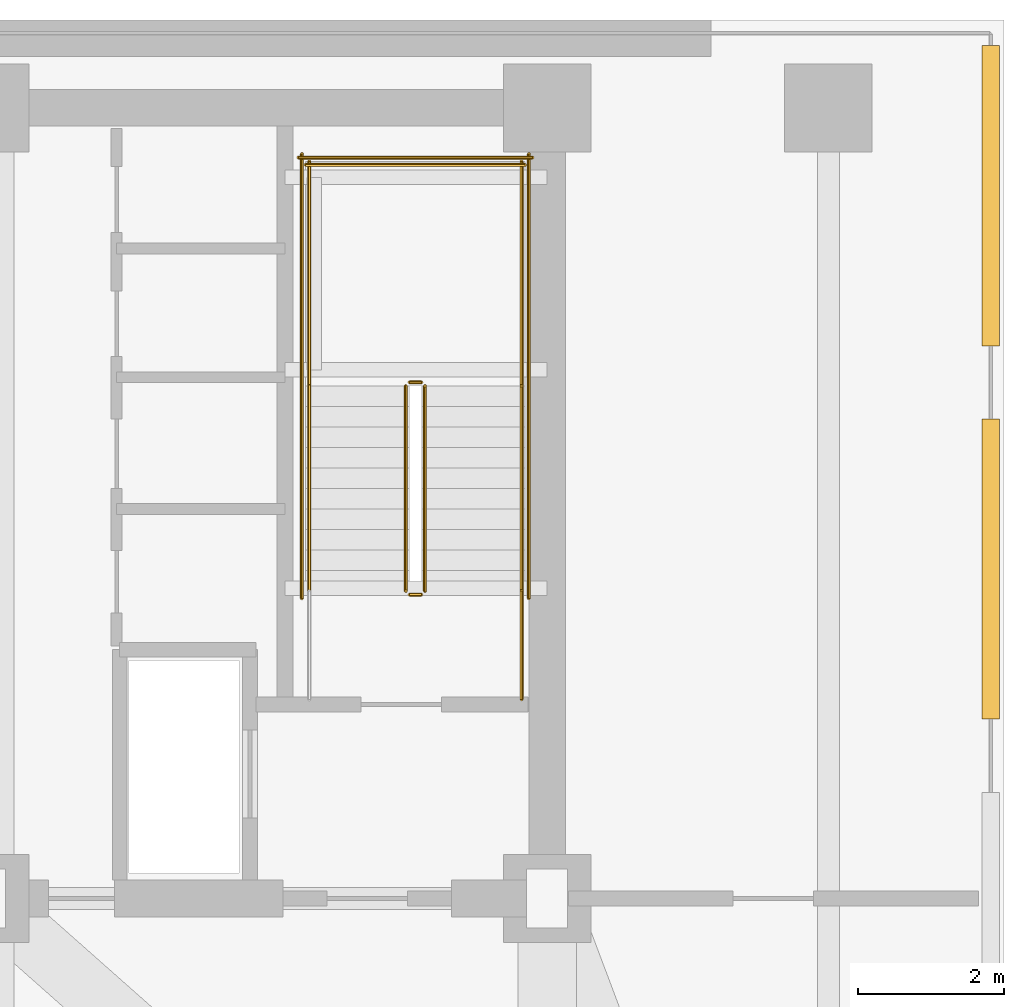
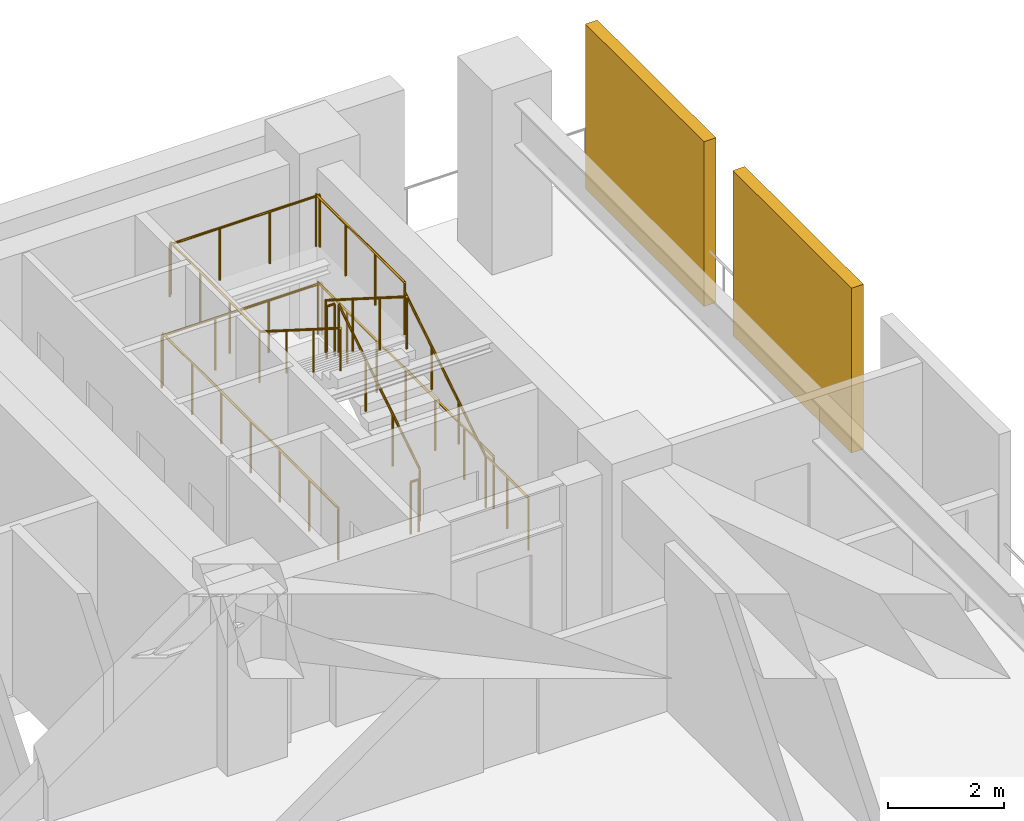
# One storey, part 7 of 7: 13 railings, 2 shading devices.
"""IFC4 building model written with IfcOpenShell, lengths in metres."""

from ifc_helpers import new_model, si_unit, direction, frame, origin, origin_2d, place, context, subcontext, project, spatial, rectangle, circle, extrude, material, layer, layer_set, type_object, element, save


model = new_model("IFC4")

# Units and contexts
model_context = context("Model", 3, precision=1e-05, world=origin(), true_north=direction((0.0, 1.0)))
body_context = subcontext(model_context, "Body", "Model", "MODEL_VIEW")
ifc_project = project(units=[si_unit("LENGTHUNIT", "METRE"), si_unit("AREAUNIT", "SQUARE_METRE"), si_unit("VOLUMEUNIT", "CUBIC_METRE"), si_unit("PLANEANGLEUNIT", "RADIAN"), si_unit("MASSUNIT", "GRAM", prefix="KILO")], contexts=[model_context])

# Site, building, storey
site_placement = place(None, origin())
site = spatial("IfcSite", under=ifc_project, at=site_placement, CompositionType="ELEMENT")
building_placement = place(site_placement, origin())
building = spatial("IfcBuilding", under=site, at=building_placement, Name="Yelkora Congress Tower", CompositionType="ELEMENT")
storey_placement = place(building_placement, frame((0.0, 0.0, 85.800048828125)))
storey = spatial("IfcBuildingStorey", under=building, at=storey_placement, Name="L22", CompositionType="ELEMENT", Elevation=85.800048828125)

# Railings
ifc_material_1 = material(Name="Painted galvanised steel stair well guard with vertical infill", Category="steel")
ifc_layer_1 = layer(ifc_material_1, 0.06005859375)
ifc_layer_set_1 = layer_set([ifc_layer_1], Name="Painted galvanised steel stair well guard with vertical infill")
railing_type_1 = type_object("IfcRailingType", Name="RAIL-STAIR-GUARD-1120", PredefinedType="GUARDRAIL", material=ifc_layer_set_1)
railing_1_placement = place(storey_placement, frame((52.090087890625, 39.60009765625, 0.17724609375)))
element("IfcRailing", 1, at=railing_1_placement, inside=storey, type_object=railing_type_1, Name="ST-02 L22 Stair Well Guardrail 1", PredefinedType="GUARDRAIL", context=body_context, shape_type="SweptSolid", body=[
    extrude(circle(Radius=0.02392578125, at=origin_2d()), frame((0.0, 0.0, 1.09619140625), z_axis=(0.0, 0.844887892834, 0.53494340686), x_axis=(-1.0, 0.0, 0.0)), (0.0, 0.0, 1.0), 3.313720703125),
    extrude(circle(Radius=0.02099609375, at=origin_2d()), origin(), (0.0, 0.0, 1.0), 1.072021484375),
    extrude(circle(Radius=0.02099609375, at=origin_2d()), frame((0.0, 0.933349609375, 0.5908203125)), (0.0, 0.0, 1.0), 1.072021484375),
    extrude(circle(Radius=0.02099609375, at=origin_2d()), frame((0.0, 1.866455078125, 1.181884765625)), (0.0, 0.0, 1.0), 1.072021484375),
    extrude(circle(Radius=0.02099609375, at=origin_2d()), frame((0.0, 2.7998046875, 1.772705078125)), (0.0, 0.0, 1.0), 1.072021484375),
])
railing_2_placement = place(storey_placement, frame((52.0400390625, 42.449951171875, 1.949951171875)))
element("IfcRailing", 2, at=railing_2_placement, inside=storey, type_object=railing_type_1, Name="ST-02 L22 Stair Well Guardrail 2", PredefinedType="GUARDRAIL", context=body_context, shape_type="SweptSolid", body=[
    extrude(circle(Radius=0.02392578125, at=origin_2d()), frame((0.0, 0.0, 1.09619140625), z_axis=(-1.0, 0.0, 0.0), x_axis=(0.0, -1.0, 0.0)), (0.0, 0.0, 1.0), 0.16015625),
    extrude(circle(Radius=0.02099609375, at=origin_2d()), origin(), (0.0, 0.0, 1.0), 1.072021484375),
    extrude(circle(Radius=0.02099609375, at=origin_2d()), frame((-0.16015625, 0.0, 0.0)), (0.0, 0.0, 1.0), 1.072021484375),
])
for number, where, name in (
    (3, (53.409912109375, 42.39990234375, 1.949951171875), "ST-02 L22 Stair Well Guardrail 3"),
    (4, (50.510009765625, 42.39990234375, 1.949951171875), "ST-02 L22 Stair Well Guardrail 4"),
):
    element("IfcRailing", number, at=place(storey_placement, frame(where)), inside=storey, type_object=railing_type_1, Name=name, PredefinedType="GUARDRAIL", context=body_context, shape_type="SweptSolid", body=[
        extrude(circle(Radius=0.02392578125, at=origin_2d()), frame((0.0, 0.0, 1.09619140625), z_axis=(0.0, 1.0, 0.0), x_axis=(-1.0, 0.0, 0.0)), (0.0, 0.0, 1.0), 3.070068359375),
        extrude(circle(Radius=0.02099609375, at=origin_2d()), origin(), (0.0, 0.0, 1.0), 1.072021484375),
        extrude(circle(Radius=0.02099609375, at=origin_2d()), frame((0.0, 1.0234375, 0.0)), (0.0, 0.0, 1.0), 1.072021484375),
        extrude(circle(Radius=0.02099609375, at=origin_2d()), frame((0.0, 2.046630859375, 0.0)), (0.0, 0.0, 1.0), 1.072021484375),
        extrude(circle(Radius=0.02099609375, at=origin_2d()), frame((0.0, 3.070068359375, 0.0)), (0.0, 0.0, 1.0), 1.072021484375),
    ])
railing_3_placement = place(storey_placement, frame((53.4599609375, 45.419921875, 1.949951171875)))
element("IfcRailing", 5, at=railing_3_placement, inside=storey, type_object=railing_type_1, Name="ST-02 L22 Stair Well Guardrail 5", PredefinedType="GUARDRAIL", context=body_context, shape_type="SweptSolid", body=[
    extrude(circle(Radius=0.02392578125, at=origin_2d()), frame((0.0, 0.0, 1.09619140625), z_axis=(-1.0, 0.0, 0.0), x_axis=(0.0, -1.0, 0.0)), (0.0, 0.0, 1.0), 3.0),
    extrude(circle(Radius=0.02099609375, at=origin_2d()), origin(), (0.0, 0.0, 1.0), 1.072021484375),
    extrude(circle(Radius=0.02099609375, at=origin_2d()), frame((-1.0, 0.0, 0.0)), (0.0, 0.0, 1.0), 1.072021484375),
    extrude(circle(Radius=0.02099609375, at=origin_2d()), frame((-2.0, 0.0, 0.0)), (0.0, 0.0, 1.0), 1.072021484375),
    extrude(circle(Radius=0.02099609375, at=origin_2d()), frame((-3.0, 0.0, 0.0)), (0.0, 0.0, 1.0), 1.072021484375),
])
railing_4_placement = place(storey_placement, frame((51.830078125, 42.39990234375, 2.127197265625)))
element("IfcRailing", 6, at=railing_4_placement, inside=storey, type_object=railing_type_1, Name="ST-02 L22 Stair Well Guardrail 6", PredefinedType="GUARDRAIL", context=body_context, shape_type="SweptSolid", body=[
    extrude(circle(Radius=0.02392578125, at=origin_2d()), frame((0.0, 0.0, 1.09619140625), z_axis=(0.0, -0.844887892834, 0.53494340686), x_axis=(1.0, 0.0, 0.0)), (0.0, 0.0, 1.0), 3.313720703125),
    extrude(circle(Radius=0.02099609375, at=origin_2d()), origin(), (0.0, 0.0, 1.0), 1.072021484375),
    extrude(circle(Radius=0.02099609375, at=origin_2d()), frame((0.0, -0.933349609375, 0.5908203125)), (0.0, 0.0, 1.0), 1.072021484375),
    extrude(circle(Radius=0.02099609375, at=origin_2d()), frame((0.0, -1.866455078125, 1.181884765625)), (0.0, 0.0, 1.0), 1.072021484375),
    extrude(circle(Radius=0.02099609375, at=origin_2d()), frame((0.0, -2.7998046875, 1.772705078125)), (0.0, 0.0, 1.0), 1.072021484375),
])
railing_5_placement = place(storey_placement, frame((52.0400390625, 39.550048828125, 0.0)))
element("IfcRailing", 7, at=railing_5_placement, inside=storey, type_object=railing_type_1, Name="ST-02 L22 Stair Well Guardrail 7", PredefinedType="GUARDRAIL", context=body_context, shape_type="SweptSolid", body=[
    extrude(circle(Radius=0.02392578125, at=origin_2d()), frame((0.0, 0.0, 1.09619140625), z_axis=(-1.0, 0.0, 0.0), x_axis=(0.0, -1.0, 0.0)), (0.0, 0.0, 1.0), 0.16015625),
    extrude(circle(Radius=0.02099609375, at=origin_2d()), origin(), (0.0, 0.0, 1.0), 1.072021484375),
    extrude(circle(Radius=0.02099609375, at=origin_2d()), frame((-0.16015625, 0.0, 0.0)), (0.0, 0.0, 1.0), 1.072021484375),
])
railing_6_placement = place(storey_placement, frame((53.409912109375, 38.1201171875, 0.0)))
element("IfcRailing", 8, at=railing_6_placement, inside=storey, type_object=railing_type_1, Name="ST-02 L22 Stair Well Guardrail 8", PredefinedType="GUARDRAIL", context=body_context, shape_type="SweptSolid", body=[
    extrude(circle(Radius=0.02392578125, at=origin_2d()), frame((0.0, 0.0, 1.09619140625), z_axis=(0.0, 1.0, 0.0), x_axis=(-1.0, 0.0, 0.0)), (0.0, 0.0, 1.0), 1.47998046875),
    extrude(circle(Radius=0.02099609375, at=origin_2d()), origin(), (0.0, 0.0, 1.0), 1.072021484375),
    extrude(circle(Radius=0.02099609375, at=origin_2d()), frame((0.0, 0.739990234375, 0.0)), (0.0, 0.0, 1.0), 1.072021484375),
    extrude(circle(Radius=0.02099609375, at=origin_2d()), frame((0.0, 1.47998046875, 0.0)), (0.0, 0.0, 1.0), 1.072021484375),
])
for number, where, name in (
    (9, (53.510009765625, 39.5, 0.0), "ST-02 L22 Stair Well Guardrail 10"),
    (10, (50.409912109375, 39.5, 0.0), "ST-02 L22 Stair Well Guardrail 11"),
):
    element("IfcRailing", number, at=place(storey_placement, frame(where)), inside=storey, type_object=railing_type_1, Name=name, PredefinedType="GUARDRAIL", context=body_context, shape_type="SweptSolid", body=[
        extrude(circle(Radius=0.02392578125, at=origin_2d()), frame((0.0, 0.0, 1.09619140625), z_axis=(0.0, 1.0, 0.0), x_axis=(-1.0, 0.0, 0.0)), (0.0, 0.0, 1.0), 6.070068359375),
        extrude(circle(Radius=0.02099609375, at=origin_2d()), origin(), (0.0, 0.0, 1.0), 1.072021484375),
        extrude(circle(Radius=0.02099609375, at=origin_2d()), frame((0.0, 1.01171875, 0.0)), (0.0, 0.0, 1.0), 1.072021484375),
        extrude(circle(Radius=0.02099609375, at=origin_2d()), frame((0.0, 2.0234375, 0.0)), (0.0, 0.0, 1.0), 1.072021484375),
        extrude(circle(Radius=0.02099609375, at=origin_2d()), frame((0.0, 3.03515625, 0.0)), (0.0, 0.0, 1.0), 1.072021484375),
        extrude(circle(Radius=0.02099609375, at=origin_2d()), frame((0.0, 4.046630859375, 0.0)), (0.0, 0.0, 1.0), 1.072021484375),
        extrude(circle(Radius=0.02099609375, at=origin_2d()), frame((0.0, 5.058349609375, 0.0)), (0.0, 0.0, 1.0), 1.072021484375),
        extrude(circle(Radius=0.02099609375, at=origin_2d()), frame((0.0, 6.070068359375, 0.0)), (0.0, 0.0, 1.0), 1.072021484375),
    ])
railing_7_placement = place(storey_placement, frame((53.56005859375, 45.52001953125, 0.0)))
element("IfcRailing", 11, at=railing_7_placement, inside=storey, type_object=railing_type_1, Name="ST-02 L22 Stair Well Guardrail 12", PredefinedType="GUARDRAIL", context=body_context, shape_type="SweptSolid", body=[
    extrude(circle(Radius=0.02392578125, at=origin_2d()), frame((0.0, 0.0, 1.09619140625), z_axis=(-1.0, 0.0, 0.0), x_axis=(0.0, -1.0, 0.0)), (0.0, 0.0, 1.0), 3.199951171875),
    extrude(circle(Radius=0.02099609375, at=origin_2d()), origin(), (0.0, 0.0, 1.0), 1.072021484375),
    extrude(circle(Radius=0.02099609375, at=origin_2d()), frame((-1.066650390625, 0.0, 0.0)), (0.0, 0.0, 1.0), 1.072021484375),
    extrude(circle(Radius=0.02099609375, at=origin_2d()), frame((-2.13330078125, 0.0, 0.0)), (0.0, 0.0, 1.0), 1.072021484375),
    extrude(circle(Radius=0.02099609375, at=origin_2d()), frame((-3.199951171875, 0.0, 0.0)), (0.0, 0.0, 1.0), 1.072021484375),
])
ifc_material_2 = material(Name="Brushed stainless steel tubular handrail", Category="steel")
ifc_layer_2 = layer(ifc_material_2, 0.050048828125)
ifc_layer_set_2 = layer_set([ifc_layer_2], Name="Brushed stainless steel tubular handrail")
railing_type_2 = type_object("IfcRailingType", Name="RAIL-STAIR-HAND-920", PredefinedType="HANDRAIL", material=ifc_layer_set_2)
railing_8_placement = place(storey_placement, frame((53.409912109375, 39.60009765625, 0.17724609375)))
element("IfcRailing", 12, at=railing_8_placement, inside=storey, type_object=railing_type_2, Name="ST-02 L22 Pitch Handrail 1", PredefinedType="HANDRAIL", context=body_context, shape_type="SweptSolid", body=[
    extrude(circle(Radius=0.02392578125, at=origin_2d()), frame((0.0, 0.0, 0.89599609375), z_axis=(0.0, 0.844887892834, 0.53494340686), x_axis=(-1.0, 0.0, 0.0)), (0.0, 0.0, 1.0), 3.313720703125),
    extrude(circle(Radius=0.02099609375, at=origin_2d()), origin(), (0.0, 0.0, 1.0), 0.871826171875),
    extrude(circle(Radius=0.02099609375, at=origin_2d()), frame((0.0, 0.933349609375, 0.5908203125)), (0.0, 0.0, 1.0), 0.871826171875),
    extrude(circle(Radius=0.02099609375, at=origin_2d()), frame((0.0, 1.866455078125, 1.181884765625)), (0.0, 0.0, 1.0), 0.871826171875),
    extrude(circle(Radius=0.02099609375, at=origin_2d()), frame((0.0, 2.7998046875, 1.772705078125)), (0.0, 0.0, 1.0), 0.871826171875),
])
railing_9_placement = place(storey_placement, frame((50.510009765625, 42.39990234375, 2.127197265625)))
element("IfcRailing", 13, at=railing_9_placement, inside=storey, type_object=railing_type_2, Name="ST-02 L22 Pitch Handrail 2", PredefinedType="HANDRAIL", context=body_context, shape_type="SweptSolid", body=[
    extrude(circle(Radius=0.02392578125, at=origin_2d()), frame((0.0, 0.0, 0.89599609375), z_axis=(0.0, -0.844887892834, 0.53494340686), x_axis=(1.0, 0.0, 0.0)), (0.0, 0.0, 1.0), 3.313720703125),
    extrude(circle(Radius=0.02099609375, at=origin_2d()), origin(), (0.0, 0.0, 1.0), 0.871826171875),
    extrude(circle(Radius=0.02099609375, at=origin_2d()), frame((0.0, -0.933349609375, 0.5908203125)), (0.0, 0.0, 1.0), 0.871826171875),
    extrude(circle(Radius=0.02099609375, at=origin_2d()), frame((0.0, -1.866455078125, 1.181884765625)), (0.0, 0.0, 1.0), 0.871826171875),
    extrude(circle(Radius=0.02099609375, at=origin_2d()), frame((0.0, -2.7998046875, 1.772705078125)), (0.0, 0.0, 1.0), 0.871826171875),
])

# Shading devices
ifc_material_3 = material(Name="Perforated anodised aluminium louvre", Category="aluminium")
ifc_layer_3 = layer(ifc_material_3, 3.39990234375)
ifc_layer_set_3 = layer_set([ifc_layer_3], Name="Perforated anodised aluminium louvre")
shading_device_type = type_object("IfcShadingDeviceType", Name="SHD-LOUVRE-WIND", PredefinedType="JALOUSIE", material=ifc_layer_set_3)
for number, where, z_axis, x_axis, name in (
    (14, (59.820068359375, 39.89990234375, 0.0), (0.0, 0.0, 1.0), (1.0, 0.0, 0.0), "L22 Acoustic Wind-Floor Louvre Screen E4"),
    (15, (59.820068359375, 45.0, 0.0), (0.0, 0.0, 1.0), (1.0, 0.0, 0.0), "L22 Acoustic Wind-Floor Louvre Screen E5"),
):
    element("IfcShadingDevice", number, at=place(storey_placement, frame(where, z_axis=z_axis, x_axis=x_axis)), inside=storey, type_object=shading_device_type, Name=name, PredefinedType="JALOUSIE", context=body_context, shape_type="SweptSolid", body=[
        extrude(rectangle(XDim=0.239990234375, YDim=4.10009765625, at=origin_2d()), origin(), (0.0, 0.0, 1.0), 3.47998046875),
    ])

save(model, "model.ifc")
